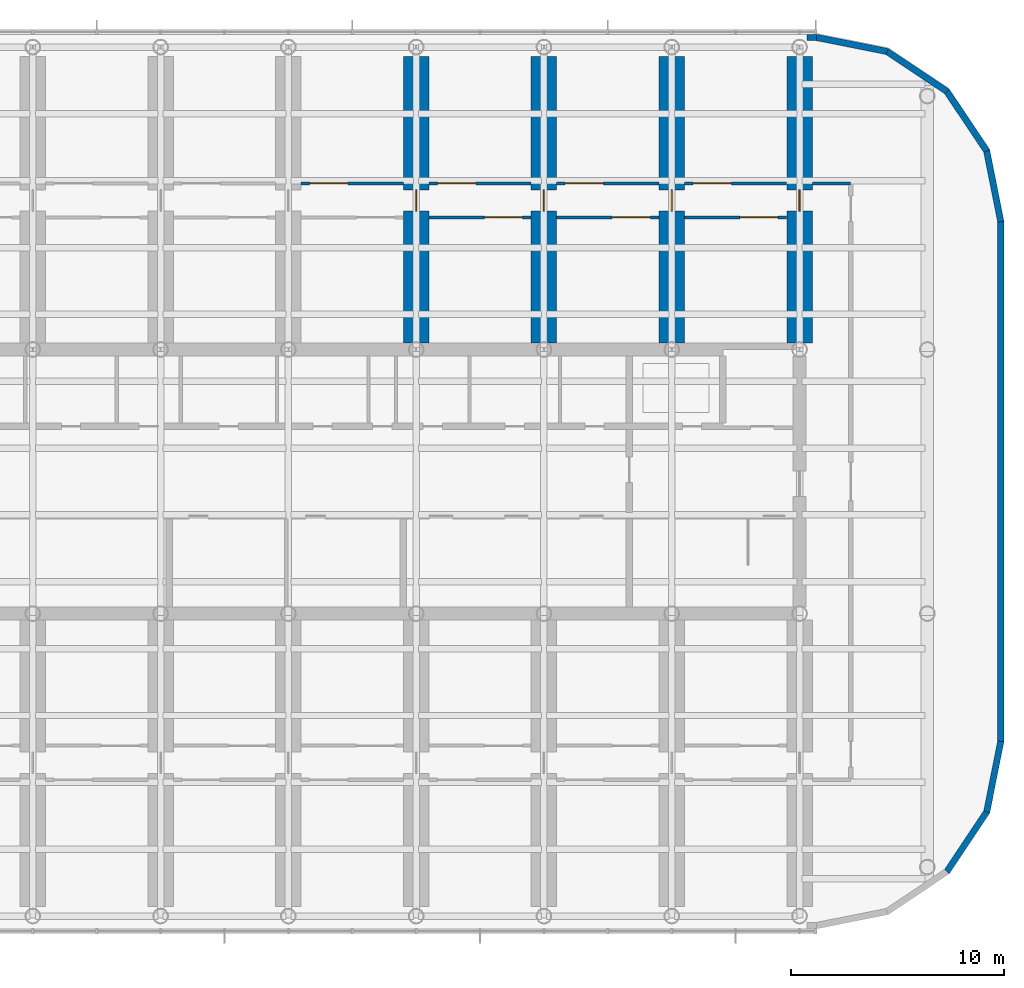
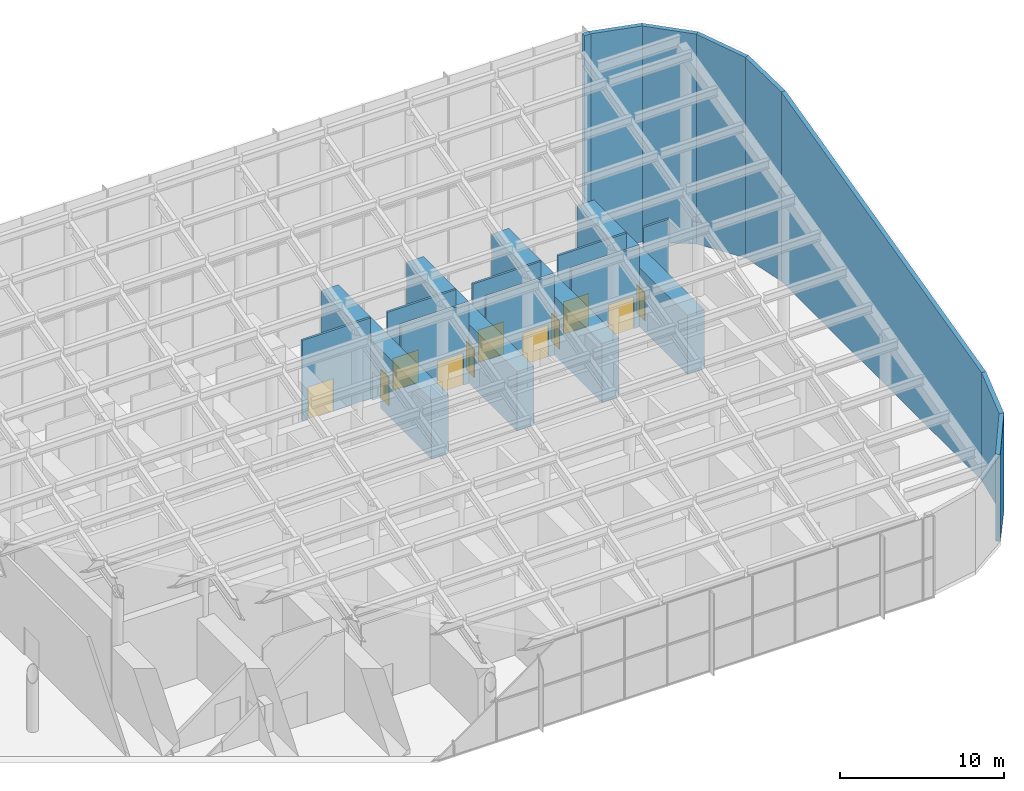
# One storey, part 13 of 14: 20 walls, 11 doors, 11 openings.
"""IFC4 building model written with IfcOpenShell, lengths in metres."""

from ifc_helpers import new_model, si_unit, direction, frame, frame_2d, origin, place, context, subcontext, project, spatial, polyline, rectangle, outline, extrude, clip, halfspace, material, layer, layer_set, type_object, element, fill, save


model = new_model("IFC4")

# Units and contexts
model_context = context("Model", 3, precision=1e-05, world=origin(), true_north=direction((0.0, 1.0)))
body_context = subcontext(model_context, "Body", "Model", "MODEL_VIEW")
ifc_project = project(units=[si_unit("LENGTHUNIT", "METRE"), si_unit("AREAUNIT", "SQUARE_METRE"), si_unit("VOLUMEUNIT", "CUBIC_METRE"), si_unit("PLANEANGLEUNIT", "RADIAN"), si_unit("MASSUNIT", "GRAM", prefix="KILO")], contexts=[model_context])

# Site, building, storey
site_placement = place(None, origin())
site = spatial("IfcSite", under=ifc_project, at=site_placement, CompositionType="ELEMENT")
building_placement = place(site_placement, origin())
building = spatial("IfcBuilding", under=site, at=building_placement, Name="Orbita Commons", CompositionType="ELEMENT")
storey_placement = place(building_placement, frame((0.0, 0.0, 262.300048828125)))
storey = spatial("IfcBuildingStorey", under=building, at=storey_placement, Name="L65", CompositionType="ELEMENT", Elevation=262.300048828125)

# Wall, opening, door
ifc_material_1 = material(Name="Concrete C50/60", Category="concrete")
ifc_layer_1 = layer(ifc_material_1, 1.199951171875)
ifc_layer_set_1 = layer_set([ifc_layer_1], Name="Concrete C50/60")
wall_type_1 = type_object("IfcWallType", Name="Outrigger wall 1200 C50/60", PredefinedType="SHEAR", material=ifc_layer_set_1)
wall_1_placement = place(storey_placement, frame((48.0, 38.5, 0.0), z_axis=(0.0, 0.0, 1.0), x_axis=(0.0, 1.0, 0.0)))
wall_1 = element("IfcWall", 1, at=wall_1_placement, inside=storey, type_object=wall_type_1, Name="Outrigger wall 9 north L65", PredefinedType="SHEAR", context=body_context, shape_type="SweptSolid", body=[
    extrude(rectangle(XDim=13.449951171875, YDim=1.199951171875, at=frame_2d((6.72509765625, 0.0))), origin(), (0.0, 0.0, 1.0), 4.39990234375),
])
opening_1_placement = place(wall_1_placement, frame((6.199951171875, 0.0, 0.0)))
opening_1 = element("IfcOpeningElement", 2, at=opening_1_placement, cuts=wall_1, Name="Opening D02", PredefinedType="OPENING", context=body_context, shape_type="SweptSolid", body=[
    extrude(rectangle(XDim=1.0, YDim=2.10009765625, at=frame_2d((0.5, 1.050048828125))), frame((0.0, 0.60986328125, 0.0), z_axis=(0.0, -1.0, 0.0), x_axis=(1.0, 0.0, 0.0)), (0.0, 0.0, 1.0), 1.219970703125),
])
ifc_material_2 = material(Name="Steel-faced fire door leaf", Category="steel")
door_type_1 = type_object("IfcDoorType", Name="Fire door 90 min 1000x2100", OperationType="SINGLE_SWING_LEFT", PredefinedType="DOOR", material=ifc_material_2)
door_1_placement = place(opening_1_placement, origin())
door_1 = element("IfcDoor", 3, at=door_1_placement, inside=storey, type_object=door_type_1, Name="Plant corridor door through outrigger wall", OperationType="SINGLE_SWING_LEFT", OverallHeight=2.10009765625, OverallWidth=1.0, PredefinedType="DOOR", context=body_context, shape_type="SweptSolid", body=[
    extrude(rectangle(XDim=1.0, YDim=2.10009765625, at=frame_2d((0.5, 1.050048828125))), frame((0.0, 0.02490234375, 0.0), z_axis=(0.0, -1.0, 0.0), x_axis=(1.0, 0.0, 0.0)), (0.0, 0.0, 1.0), 0.050048828125),
])
fill(opening_1, door_1)

wall_2_placement = place(storey_placement, frame((54.0, 38.5, 0.0), z_axis=(0.0, 0.0, 1.0), x_axis=(0.0, 1.0, 0.0)))
wall_2 = element("IfcWall", 4, at=wall_2_placement, inside=storey, type_object=wall_type_1, Name="Outrigger wall 10 north L65", PredefinedType="SHEAR", context=body_context, shape_type="SweptSolid", body=[
    extrude(rectangle(XDim=13.449951171875, YDim=1.199951171875, at=frame_2d((6.72509765625, 0.0))), origin(), (0.0, 0.0, 1.0), 4.39990234375),
])
opening_2_placement = place(wall_2_placement, frame((6.199951171875, 0.0, 0.0)))
opening_2 = element("IfcOpeningElement", 5, at=opening_2_placement, cuts=wall_2, Name="Opening D02", PredefinedType="OPENING", context=body_context, shape_type="SweptSolid", body=[
    extrude(rectangle(XDim=1.0, YDim=2.10009765625, at=frame_2d((0.5, 1.050048828125))), frame((0.0, 0.60986328125, 0.0), z_axis=(0.0, -1.0, 0.0), x_axis=(1.0, 0.0, 0.0)), (0.0, 0.0, 1.0), 1.219970703125),
])
door_2_placement = place(opening_2_placement, origin())
door_2 = element("IfcDoor", 6, at=door_2_placement, inside=storey, type_object=door_type_1, Name="Plant corridor door through outrigger wall", OperationType="SINGLE_SWING_LEFT", OverallHeight=2.10009765625, OverallWidth=1.0, PredefinedType="DOOR", context=body_context, shape_type="SweptSolid", body=[
    extrude(rectangle(XDim=1.0, YDim=2.10009765625, at=frame_2d((0.5, 1.050048828125))), frame((0.0, 0.02490234375, 0.0), z_axis=(0.0, -1.0, 0.0), x_axis=(1.0, 0.0, 0.0)), (0.0, 0.0, 1.0), 0.050048828125),
])
fill(opening_2, door_2)

wall_3_placement = place(storey_placement, frame((60.0, 38.5, 0.0), z_axis=(0.0, 0.0, 1.0), x_axis=(0.0, 1.0, 0.0)))
wall_3 = element("IfcWall", 7, at=wall_3_placement, inside=storey, type_object=wall_type_1, Name="Outrigger wall 11 north L65", PredefinedType="SHEAR", context=body_context, shape_type="SweptSolid", body=[
    extrude(rectangle(XDim=13.449951171875, YDim=1.199951171875, at=frame_2d((6.72509765625, 0.0))), origin(), (0.0, 0.0, 1.0), 4.39990234375),
])
opening_3_placement = place(wall_3_placement, frame((6.199951171875, 0.0, 0.0)))
opening_3 = element("IfcOpeningElement", 8, at=opening_3_placement, cuts=wall_3, Name="Opening D02", PredefinedType="OPENING", context=body_context, shape_type="SweptSolid", body=[
    extrude(rectangle(XDim=1.0, YDim=2.10009765625, at=frame_2d((0.5, 1.050048828125))), frame((0.0, 0.60986328125, 0.0), z_axis=(0.0, -1.0, 0.0), x_axis=(1.0, 0.0, 0.0)), (0.0, 0.0, 1.0), 1.219970703125),
])
door_3_placement = place(opening_3_placement, origin())
door_3 = element("IfcDoor", 9, at=door_3_placement, inside=storey, type_object=door_type_1, Name="Plant corridor door through outrigger wall", OperationType="SINGLE_SWING_LEFT", OverallHeight=2.10009765625, OverallWidth=1.0, PredefinedType="DOOR", context=body_context, shape_type="SweptSolid", body=[
    extrude(rectangle(XDim=1.0, YDim=2.10009765625, at=frame_2d((0.5, 1.050048828125))), frame((0.0, 0.02490234375, 0.0), z_axis=(0.0, -1.0, 0.0), x_axis=(1.0, 0.0, 0.0)), (0.0, 0.0, 1.0), 0.050048828125),
])
fill(opening_3, door_3)

wall_4_placement = place(storey_placement, frame((66.0, 38.5, 0.0), z_axis=(0.0, 0.0, 1.0), x_axis=(0.0, 1.0, 0.0)))
wall_4 = element("IfcWall", 10, at=wall_4_placement, inside=storey, type_object=wall_type_1, Name="Outrigger wall 12 north L65", PredefinedType="SHEAR", context=body_context, shape_type="SweptSolid", body=[
    extrude(rectangle(XDim=13.449951171875, YDim=1.199951171875, at=frame_2d((6.72509765625, 0.0))), origin(), (0.0, 0.0, 1.0), 4.39990234375),
])
opening_4_placement = place(wall_4_placement, frame((6.199951171875, 0.0, 0.0)))
opening_4 = element("IfcOpeningElement", 11, at=opening_4_placement, cuts=wall_4, Name="Opening D02", PredefinedType="OPENING", context=body_context, shape_type="SweptSolid", body=[
    extrude(rectangle(XDim=1.0, YDim=2.10009765625, at=frame_2d((0.5, 1.050048828125))), frame((0.0, 0.60986328125, 0.0), z_axis=(0.0, -1.0, 0.0), x_axis=(1.0, 0.0, 0.0)), (0.0, 0.0, 1.0), 1.219970703125),
])
door_4_placement = place(opening_4_placement, origin())
door_4 = element("IfcDoor", 12, at=door_4_placement, inside=storey, type_object=door_type_1, Name="Plant corridor door through outrigger wall", OperationType="SINGLE_SWING_LEFT", OverallHeight=2.10009765625, OverallWidth=1.0, PredefinedType="DOOR", context=body_context, shape_type="SweptSolid", body=[
    extrude(rectangle(XDim=1.0, YDim=2.10009765625, at=frame_2d((0.5, 1.050048828125))), frame((0.0, 0.02490234375, 0.0), z_axis=(0.0, -1.0, 0.0), x_axis=(1.0, 0.0, 0.0)), (0.0, 0.0, 1.0), 0.050048828125),
])
fill(opening_4, door_4)

# Wall
ifc_material_3 = material(Name="Gypsum plasterboard on steel studs", Category="steel")
ifc_layer_2 = layer(ifc_material_3, 0.14990234375)
ifc_layer_set_2 = layer_set([ifc_layer_2], Name="Gypsum plasterboard on steel studs")
wall_type_2 = type_object("IfcWallType", Name="Partition 150 plasterboard", PredefinedType="PARTITIONING", material=ifc_layer_set_2)
wall_5_placement = place(storey_placement, frame((66.60009765625, 46.0, 0.0), z_axis=(0.0, 0.0, 1.0), x_axis=(1.0, 0.0, 0.0)))
element("IfcWall", 13, at=wall_5_placement, inside=storey, type_object=wall_type_2, Name="Partition 150 plasterboard L65", PredefinedType="PARTITIONING", context=body_context, shape_type="SweptSolid", body=[
    extrude(rectangle(XDim=1.7998046875, YDim=0.14990234375, at=frame_2d((0.89990234375, 0.0))), origin(), (0.0, 0.0, 1.0), 6.0),
])

# Wall, opening, door
wall_6_placement = place(storey_placement, frame((42.60009765625, 46.0, 0.0), z_axis=(0.0, 0.0, 1.0), x_axis=(1.0, 0.0, 0.0)))
wall_6 = element("IfcWall", 14, at=wall_6_placement, inside=storey, type_object=wall_type_2, Name="Partition 150 plasterboard L65", PredefinedType="PARTITIONING", context=body_context, shape_type="SweptSolid", body=[
    extrude(rectangle(XDim=4.7998046875, YDim=0.14990234375, at=frame_2d((2.39990234375, 0.0))), origin(), (0.0, 0.0, 1.0), 6.0),
])
opening_5_placement = place(wall_6_placement, frame((0.39990234375, 0.0, 0.0)))
opening_5 = element("IfcOpeningElement", 15, at=opening_5_placement, cuts=wall_6, Name="Opening D14", PredefinedType="OPENING", context=body_context, shape_type="SweptSolid", body=[
    extrude(rectangle(XDim=1.800048828125, YDim=2.39990234375, at=frame_2d((0.89990234375, 1.199951171875))), frame((0.0, 0.0849609375, 0.0), z_axis=(0.0, -1.0, 0.0), x_axis=(1.0, 0.0, 0.0)), (0.0, 0.0, 1.0), 0.169921875),
])
ifc_material_4 = material(Name="Steel-faced fire door leaf", Category="steel")
door_type_2 = type_object("IfcDoorType", Name="Double fire door 90 min 1800x2400", OperationType="DOUBLE_DOOR_SINGLE_SWING", PredefinedType="DOOR", material=ifc_material_4)
door_5_placement = place(opening_5_placement, origin())
door_5 = element("IfcDoor", 16, at=door_5_placement, inside=storey, type_object=door_type_2, Name="Heat exchanger room north doors", OperationType="DOUBLE_DOOR_SINGLE_SWING", OverallHeight=2.39990234375, OverallWidth=1.800048828125, PredefinedType="DOOR", context=body_context, shape_type="SweptSolid", body=[
    extrude(rectangle(XDim=1.800048828125, YDim=2.39990234375, at=frame_2d((0.89990234375, 1.199951171875))), frame((0.0, 0.02490234375, 0.0), z_axis=(0.0, -1.0, 0.0), x_axis=(1.0, 0.0, 0.0)), (0.0, 0.0, 1.0), 0.050048828125),
])
fill(opening_5, door_5)

wall_7_placement = place(storey_placement, frame((48.60009765625, 46.0, 0.0), z_axis=(0.0, 0.0, 1.0), x_axis=(1.0, 0.0, 0.0)))
wall_7 = element("IfcWall", 17, at=wall_7_placement, inside=storey, type_object=wall_type_2, Name="Partition 150 plasterboard L65", PredefinedType="PARTITIONING", context=body_context, shape_type="SweptSolid", body=[
    extrude(rectangle(XDim=4.7998046875, YDim=0.14990234375, at=frame_2d((2.39990234375, 0.0))), origin(), (0.0, 0.0, 1.0), 6.0),
])
opening_6_placement = place(wall_7_placement, frame((0.39990234375, 0.0, 0.0)))
opening_6 = element("IfcOpeningElement", 18, at=opening_6_placement, cuts=wall_7, Name="Opening D14", PredefinedType="OPENING", context=body_context, shape_type="SweptSolid", body=[
    extrude(rectangle(XDim=1.800048828125, YDim=2.39990234375, at=frame_2d((0.89990234375, 1.199951171875))), frame((0.0, 0.0849609375, 0.0), z_axis=(0.0, -1.0, 0.0), x_axis=(1.0, 0.0, 0.0)), (0.0, 0.0, 1.0), 0.169921875),
])
door_6_placement = place(opening_6_placement, origin())
door_6 = element("IfcDoor", 19, at=door_6_placement, inside=storey, type_object=door_type_2, Name="Fire water tank room north doors", OperationType="DOUBLE_DOOR_SINGLE_SWING", OverallHeight=2.39990234375, OverallWidth=1.800048828125, PredefinedType="DOOR", context=body_context, shape_type="SweptSolid", body=[
    extrude(rectangle(XDim=1.800048828125, YDim=2.39990234375, at=frame_2d((0.89990234375, 1.199951171875))), frame((0.0, 0.02490234375, 0.0), z_axis=(0.0, -1.0, 0.0), x_axis=(1.0, 0.0, 0.0)), (0.0, 0.0, 1.0), 0.050048828125),
])
fill(opening_6, door_6)

wall_8_placement = place(storey_placement, frame((48.60009765625, 44.39990234375, 0.0), z_axis=(0.0, 0.0, 1.0), x_axis=(1.0, 0.0, 0.0)))
wall_8 = element("IfcWall", 20, at=wall_8_placement, inside=storey, type_object=wall_type_2, Name="Partition 150 plasterboard L65", PredefinedType="PARTITIONING", context=body_context, shape_type="SweptSolid", body=[
    extrude(rectangle(XDim=4.7998046875, YDim=0.14990234375, at=frame_2d((2.39990234375, 0.0))), origin(), (0.0, 0.0, 1.0), 6.0),
])
opening_7_placement = place(wall_8_placement, frame((2.60009765625, 0.0, 0.0)))
opening_7 = element("IfcOpeningElement", 21, at=opening_7_placement, cuts=wall_8, Name="Opening D14", PredefinedType="OPENING", context=body_context, shape_type="SweptSolid", body=[
    extrude(rectangle(XDim=1.800048828125, YDim=2.39990234375, at=frame_2d((0.89990234375, 1.199951171875))), frame((0.0, 0.0849609375, 0.0), z_axis=(0.0, -1.0, 0.0), x_axis=(1.0, 0.0, 0.0)), (0.0, 0.0, 1.0), 0.169921875),
])
door_7_placement = place(opening_7_placement, origin())
door_7 = element("IfcDoor", 22, at=door_7_placement, inside=storey, type_object=door_type_2, Name="Filter store north doors", OperationType="DOUBLE_DOOR_SINGLE_SWING", OverallHeight=2.39990234375, OverallWidth=1.800048828125, PredefinedType="DOOR", context=body_context, shape_type="SweptSolid", body=[
    extrude(rectangle(XDim=1.800048828125, YDim=2.39990234375, at=frame_2d((0.89990234375, 1.199951171875))), frame((0.0, 0.02490234375, 0.0), z_axis=(0.0, -1.0, 0.0), x_axis=(1.0, 0.0, 0.0)), (0.0, 0.0, 1.0), 0.050048828125),
])
fill(opening_7, door_7)

wall_9_placement = place(storey_placement, frame((54.60009765625, 46.0, 0.0), z_axis=(0.0, 0.0, 1.0), x_axis=(1.0, 0.0, 0.0)))
wall_9 = element("IfcWall", 23, at=wall_9_placement, inside=storey, type_object=wall_type_2, Name="Partition 150 plasterboard L65", PredefinedType="PARTITIONING", context=body_context, shape_type="SweptSolid", body=[
    extrude(rectangle(XDim=4.7998046875, YDim=0.14990234375, at=frame_2d((2.39990234375, 0.0))), origin(), (0.0, 0.0, 1.0), 6.0),
])
opening_8_placement = place(wall_9_placement, frame((0.39990234375, 0.0, 0.0)))
opening_8 = element("IfcOpeningElement", 24, at=opening_8_placement, cuts=wall_9, Name="Opening D14", PredefinedType="OPENING", context=body_context, shape_type="SweptSolid", body=[
    extrude(rectangle(XDim=1.800048828125, YDim=2.39990234375, at=frame_2d((0.89990234375, 1.199951171875))), frame((0.0, 0.0849609375, 0.0), z_axis=(0.0, -1.0, 0.0), x_axis=(1.0, 0.0, 0.0)), (0.0, 0.0, 1.0), 0.169921875),
])
door_8_placement = place(opening_8_placement, origin())
door_8 = element("IfcDoor", 25, at=door_8_placement, inside=storey, type_object=door_type_2, Name="Smoke extract fan room north doors", OperationType="DOUBLE_DOOR_SINGLE_SWING", OverallHeight=2.39990234375, OverallWidth=1.800048828125, PredefinedType="DOOR", context=body_context, shape_type="SweptSolid", body=[
    extrude(rectangle(XDim=1.800048828125, YDim=2.39990234375, at=frame_2d((0.89990234375, 1.199951171875))), frame((0.0, 0.02490234375, 0.0), z_axis=(0.0, -1.0, 0.0), x_axis=(1.0, 0.0, 0.0)), (0.0, 0.0, 1.0), 0.050048828125),
])
fill(opening_8, door_8)

wall_10_placement = place(storey_placement, frame((54.60009765625, 44.39990234375, 0.0), z_axis=(0.0, 0.0, 1.0), x_axis=(1.0, 0.0, 0.0)))
wall_10 = element("IfcWall", 26, at=wall_10_placement, inside=storey, type_object=wall_type_2, Name="Partition 150 plasterboard L65", PredefinedType="PARTITIONING", context=body_context, shape_type="SweptSolid", body=[
    extrude(rectangle(XDim=4.7998046875, YDim=0.14990234375, at=frame_2d((2.39990234375, 0.0))), origin(), (0.0, 0.0, 1.0), 6.0),
])
opening_9_placement = place(wall_10_placement, frame((2.60009765625, 0.0, 0.0)))
opening_9 = element("IfcOpeningElement", 27, at=opening_9_placement, cuts=wall_10, Name="Opening D14", PredefinedType="OPENING", context=body_context, shape_type="SweptSolid", body=[
    extrude(rectangle(XDim=1.800048828125, YDim=2.39990234375, at=frame_2d((0.89990234375, 1.199951171875))), frame((0.0, 0.0849609375, 0.0), z_axis=(0.0, -1.0, 0.0), x_axis=(1.0, 0.0, 0.0)), (0.0, 0.0, 1.0), 0.169921875),
])
door_9_placement = place(opening_9_placement, origin())
door_9 = element("IfcDoor", 28, at=door_9_placement, inside=storey, type_object=door_type_2, Name="Fan control room north doors", OperationType="DOUBLE_DOOR_SINGLE_SWING", OverallHeight=2.39990234375, OverallWidth=1.800048828125, PredefinedType="DOOR", context=body_context, shape_type="SweptSolid", body=[
    extrude(rectangle(XDim=1.800048828125, YDim=2.39990234375, at=frame_2d((0.89990234375, 1.199951171875))), frame((0.0, 0.02490234375, 0.0), z_axis=(0.0, -1.0, 0.0), x_axis=(1.0, 0.0, 0.0)), (0.0, 0.0, 1.0), 0.050048828125),
])
fill(opening_9, door_9)

wall_11_placement = place(storey_placement, frame((60.60009765625, 46.0, 0.0), z_axis=(0.0, 0.0, 1.0), x_axis=(1.0, 0.0, 0.0)))
wall_11 = element("IfcWall", 29, at=wall_11_placement, inside=storey, type_object=wall_type_2, Name="Partition 150 plasterboard L65", PredefinedType="PARTITIONING", context=body_context, shape_type="SweptSolid", body=[
    extrude(rectangle(XDim=4.7998046875, YDim=0.14990234375, at=frame_2d((2.39990234375, 0.0))), origin(), (0.0, 0.0, 1.0), 6.0),
])
opening_10_placement = place(wall_11_placement, frame((0.39990234375, 0.0, 0.0)))
opening_10 = element("IfcOpeningElement", 30, at=opening_10_placement, cuts=wall_11, Name="Opening D14", PredefinedType="OPENING", context=body_context, shape_type="SweptSolid", body=[
    extrude(rectangle(XDim=1.800048828125, YDim=2.39990234375, at=frame_2d((0.89990234375, 1.199951171875))), frame((0.0, 0.0849609375, 0.0), z_axis=(0.0, -1.0, 0.0), x_axis=(1.0, 0.0, 0.0)), (0.0, 0.0, 1.0), 0.169921875),
])
door_10_placement = place(opening_10_placement, origin())
door_10 = element("IfcDoor", 31, at=door_10_placement, inside=storey, type_object=door_type_2, Name="Electrical plant room north doors", OperationType="DOUBLE_DOOR_SINGLE_SWING", OverallHeight=2.39990234375, OverallWidth=1.800048828125, PredefinedType="DOOR", context=body_context, shape_type="SweptSolid", body=[
    extrude(rectangle(XDim=1.800048828125, YDim=2.39990234375, at=frame_2d((0.89990234375, 1.199951171875))), frame((0.0, 0.02490234375, 0.0), z_axis=(0.0, -1.0, 0.0), x_axis=(1.0, 0.0, 0.0)), (0.0, 0.0, 1.0), 0.050048828125),
])
fill(opening_10, door_10)

wall_12_placement = place(storey_placement, frame((60.60009765625, 44.39990234375, 0.0), z_axis=(0.0, 0.0, 1.0), x_axis=(1.0, 0.0, 0.0)))
wall_12 = element("IfcWall", 32, at=wall_12_placement, inside=storey, type_object=wall_type_2, Name="Partition 150 plasterboard L65", PredefinedType="PARTITIONING", context=body_context, shape_type="SweptSolid", body=[
    extrude(rectangle(XDim=4.7998046875, YDim=0.14990234375, at=frame_2d((2.39990234375, 0.0))), origin(), (0.0, 0.0, 1.0), 6.0),
])
opening_11_placement = place(wall_12_placement, frame((2.60009765625, 0.0, 0.0)))
opening_11 = element("IfcOpeningElement", 33, at=opening_11_placement, cuts=wall_12, Name="Opening D14", PredefinedType="OPENING", context=body_context, shape_type="SweptSolid", body=[
    extrude(rectangle(XDim=1.800048828125, YDim=2.39990234375, at=frame_2d((0.89990234375, 1.199951171875))), frame((0.0, 0.0849609375, 0.0), z_axis=(0.0, -1.0, 0.0), x_axis=(1.0, 0.0, 0.0)), (0.0, 0.0, 1.0), 0.169921875),
])
door_11_placement = place(opening_11_placement, origin())
door_11 = element("IfcDoor", 34, at=door_11_placement, inside=storey, type_object=door_type_2, Name="Switch room north doors", OperationType="DOUBLE_DOOR_SINGLE_SWING", OverallHeight=2.39990234375, OverallWidth=1.800048828125, PredefinedType="DOOR", context=body_context, shape_type="SweptSolid", body=[
    extrude(rectangle(XDim=1.800048828125, YDim=2.39990234375, at=frame_2d((0.89990234375, 1.199951171875))), frame((0.0, 0.02490234375, 0.0), z_axis=(0.0, -1.0, 0.0), x_axis=(1.0, 0.0, 0.0)), (0.0, 0.0, 1.0), 0.050048828125),
])
fill(opening_11, door_11)

# Walls
ifc_material_5 = material(Name="Precast concrete C40/50, white board-marked finish", Category="concrete")
ifc_layer_3 = layer(ifc_material_5, 0.300048828125)
ifc_layer_set_3 = layer_set([ifc_layer_3], Name="Precast concrete C40/50, white board-marked finish")
wall_type_3 = type_object("IfcWallType", Name="Precast concrete end shield 300", PredefinedType="SOLIDWALL", material=ifc_layer_set_3)
wall_13_placement = place(storey_placement, frame((75.449951171875, 19.800048828125, 0.0), z_axis=(0.0, 0.0, 1.0), x_axis=(0.0, 1.0, 0.0)))
element("IfcWall", 35, at=wall_13_placement, inside=storey, type_object=wall_type_3, Name="Crown end shield E L65", PredefinedType="SOLIDWALL", context=body_context, shape_type="Clipping", body=[
    clip(clip(extrude(outline(polyline([(-0.024658203125, 0.0), (24.424560546875, 0.0), (24.424560546875, 14.083740234375), (-0.024658203125, 7.988037109375), (-0.024658203125, 0.0)])), frame((0.0, 0.14990234375, 0.0), z_axis=(0.0, -1.0, 0.0), x_axis=(1.0, 0.0, 0.0)), (0.0, 0.0, 1.0), 0.300048828125), halfspace(frame((0.0, 0.0, 0.0), z_axis=(-0.995184726707, 0.098017139978, 0.0)), False)), halfspace(frame((24.39990234375, 0.0, 0.0), z_axis=(0.995184726707, 0.098017139978, 0.0)), False)),
])
wall_14_placement = place(storey_placement, frame((72.91650390625, 13.68359375, 0.0), z_axis=(0.0, 0.0, 1.0), x_axis=(0.555567969291, 0.831471124873, 0.0)))
element("IfcWall", 36, at=wall_14_placement, inside=storey, type_object=wall_type_3, Name="End shield SE chord 3 L65", PredefinedType="SOLIDWALL", context=body_context, shape_type="Clipping", body=[
    clip(clip(extrude(outline(polyline([(-0.039794921875, 0.0), (3.414794921875, 0.0), (3.414794921875, 7.177001953125), (-0.039794921875, 6.460693359375), (-0.039794921875, 0.0)])), frame((0.0, 0.14990234375, 0.0), z_axis=(0.0, -1.0, 0.0), x_axis=(1.0, 0.0, 0.0)), (0.0, 0.0, 1.0), 0.300048828125), halfspace(frame((0.0, 0.0, 0.0), z_axis=(-0.980785349348, 0.195089975409, 0.0)), False)), halfspace(frame((3.375, 0.0, 0.0), z_axis=(0.980785349348, 0.195089975409, 0.0)), False)),
])
wall_15_placement = place(storey_placement, frame((74.79150390625, 16.48974609375, 0.0), z_axis=(0.0, 0.0, 1.0), x_axis=(0.19508664885, 0.980786011034, 0.0)))
element("IfcWall", 37, at=wall_15_placement, inside=storey, type_object=wall_type_3, Name="End shield SE chord 4 L65", PredefinedType="SOLIDWALL", context=body_context, shape_type="Clipping", body=[
    clip(clip(extrude(outline(polyline([(-0.039794921875, 0.0), (3.4150390625, 0.0), (3.4150390625, 8.00390625), (3.375, 7.994140625), (-0.039794921875, 7.158935546875), (-0.039794921875, 0.0)])), frame((0.0, 0.14990234375, 0.0), z_axis=(0.0, -1.0, 0.0), x_axis=(1.0, 0.0, 0.0)), (0.0, 0.0, 1.0), 0.300048828125), halfspace(frame((0.0, 0.0, 0.0), z_axis=(-0.980785349348, 0.195089975409, 0.0)), False)), halfspace(frame((3.375244140625, 0.0, 0.0), z_axis=(0.995184765828, 0.098016742771, 0.0)), False)),
])
wall_16_placement = place(storey_placement, frame((75.449951171875, 44.199951171875, 0.0), z_axis=(0.0, 0.0, 1.0), x_axis=(-0.19508664885, 0.980786011034, 0.0)))
element("IfcWall", 38, at=wall_16_placement, inside=storey, type_object=wall_type_3, Name="End shield NE chord 1 L65", PredefinedType="SOLIDWALL", context=body_context, shape_type="Clipping", body=[
    clip(clip(extrude(outline(polyline([(-0.039794921875, 0.0), (3.4150390625, 0.0), (3.4150390625, 14.912841796875), (3.375, 14.903076171875), (-0.039794921875, 14.06787109375), (-0.039794921875, 0.0)])), frame((0.0, 0.14990234375, 0.0), z_axis=(0.0, -1.0, 0.0), x_axis=(1.0, 0.0, 0.0)), (0.0, 0.0, 1.0), 0.300048828125), halfspace(frame((0.0, 0.0, 0.0), z_axis=(-0.995184765828, 0.098016742771, 0.0)), False)), halfspace(frame((3.375244140625, 0.0, 0.0), z_axis=(0.980785349348, 0.195089975409, 0.0)), False)),
])
wall_17_placement = place(storey_placement, frame((74.79150390625, 47.51025390625, 0.0), z_axis=(0.0, 0.0, 1.0), x_axis=(-0.555567969291, 0.831471124873, 0.0)))
element("IfcWall", 39, at=wall_17_placement, inside=storey, type_object=wall_type_3, Name="End shield NE chord 2 L65", PredefinedType="SOLIDWALL", context=body_context, shape_type="Clipping", body=[
    clip(clip(extrude(outline(polyline([(-0.039794921875, 0.0), (3.414794921875, 0.0), (3.414794921875, 15.61083984375), (-0.039794921875, 14.894775390625), (-0.039794921875, 0.0)])), frame((0.0, 0.14990234375, 0.0), z_axis=(0.0, -1.0, 0.0), x_axis=(1.0, 0.0, 0.0)), (0.0, 0.0, 1.0), 0.300048828125), halfspace(frame((0.0, 0.0, 0.0), z_axis=(-0.980785349348, 0.195089975409, 0.0)), False)), halfspace(frame((3.375, 0.0, 0.0), z_axis=(0.980785349348, 0.195089975409, 0.0)), False)),
])
wall_18_placement = place(storey_placement, frame((72.91650390625, 50.31640625, 0.0), z_axis=(0.0, 0.0, 1.0), x_axis=(-0.831460037396, 0.555584562613, 0.0)))
element("IfcWall", 40, at=wall_18_placement, inside=storey, type_object=wall_type_3, Name="End shield NE chord 3 L65", PredefinedType="SOLIDWALL", context=body_context, shape_type="Clipping", body=[
    clip(clip(extrude(outline(polyline([(-0.039794921875, 0.0), (3.4150390625, 0.0), (3.4150390625, 16.07568359375), (3.375, 16.070068359375), (-0.039794921875, 15.596923828125), (-0.039794921875, 0.0)])), frame((0.0, 0.14990234375, 0.0), z_axis=(0.0, -1.0, 0.0), x_axis=(1.0, 0.0, 0.0)), (0.0, 0.0, 1.0), 0.300048828125), halfspace(frame((0.0, 0.0, 0.0), z_axis=(-0.980785349348, 0.195089975409, 0.0)), False)), halfspace(frame((3.375244140625, 0.0, 0.0), z_axis=(0.980785349348, 0.195089975409, 0.0)), False)),
])
wall_19_placement = place(storey_placement, frame((70.110107421875, 52.191650390625, 0.0), z_axis=(0.0, 0.0, 1.0), x_axis=(-0.98078325777, 0.195100490205, 0.0)))
element("IfcWall", 41, at=wall_19_placement, inside=storey, type_object=wall_type_3, Name="End shield NE chord 4 L65", PredefinedType="SOLIDWALL", context=body_context, shape_type="Clipping", body=[
    clip(clip(extrude(outline(polyline([(-0.039794921875, 0.0), (3.414794921875, 0.0), (3.414794921875, 16.236328125), (-0.039794921875, 16.068115234375), (-0.039794921875, 0.0)])), frame((0.0, 0.14990234375, 0.0), z_axis=(0.0, -1.0, 0.0), x_axis=(1.0, 0.0, 0.0)), (0.0, 0.0, 1.0), 0.300048828125), halfspace(frame((0.0, 0.0, 0.0), z_axis=(-0.980785349348, 0.195089975409, 0.0)), False)), halfspace(frame((3.375, 0.0, 0.0), z_axis=(0.980785349348, 0.195089975409, 0.0)), False)),
])
wall_20_placement = place(storey_placement, frame((66.800048828125, 52.85009765625, 0.0), z_axis=(0.0, 0.0, 1.0), x_axis=(-1.0, 0.0, 0.0)))
element("IfcWall", 42, at=wall_20_placement, inside=storey, type_object=wall_type_3, Name="End shield NE closer L65", PredefinedType="SOLIDWALL", context=body_context, shape_type="SweptSolid", body=[
    extrude(outline(polyline([(0.0, 0.0), (0.444580078125, 0.0), (0.444580078125, 16.234375), (0.0, 16.234375), (0.0, 0.0)])), frame((0.0, 0.14990234375, 0.0), z_axis=(0.0, -1.0, 0.0), x_axis=(1.0, 0.0, 0.0)), (0.0, 0.0, 1.0), 0.300048828125),
])

save(model, "model.ifc")
